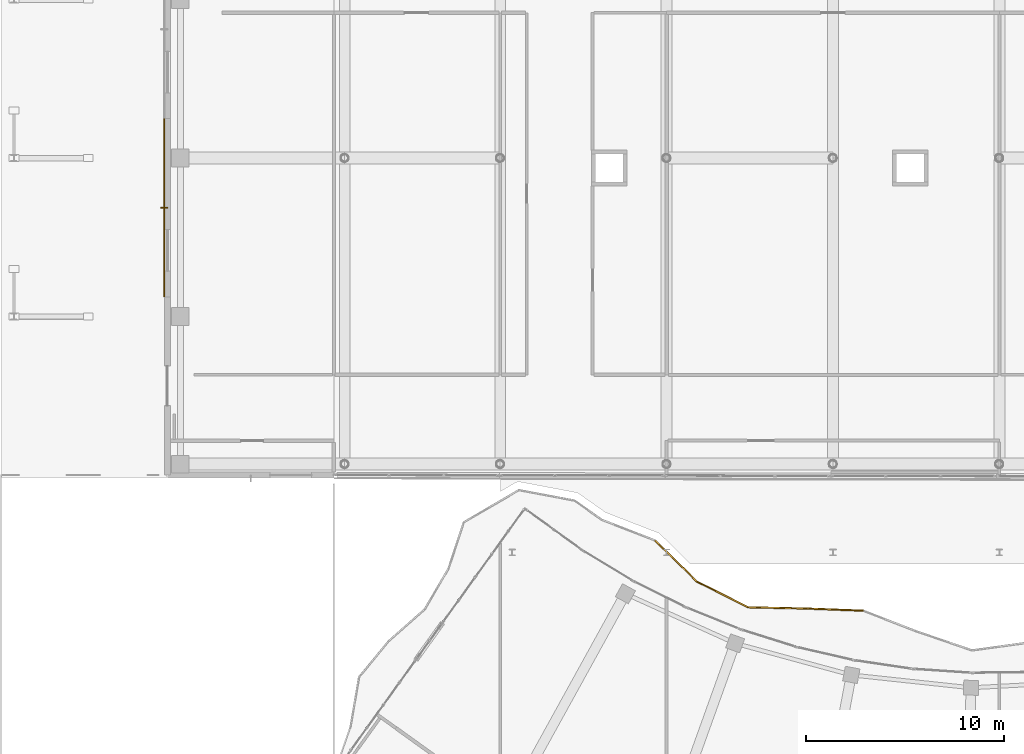
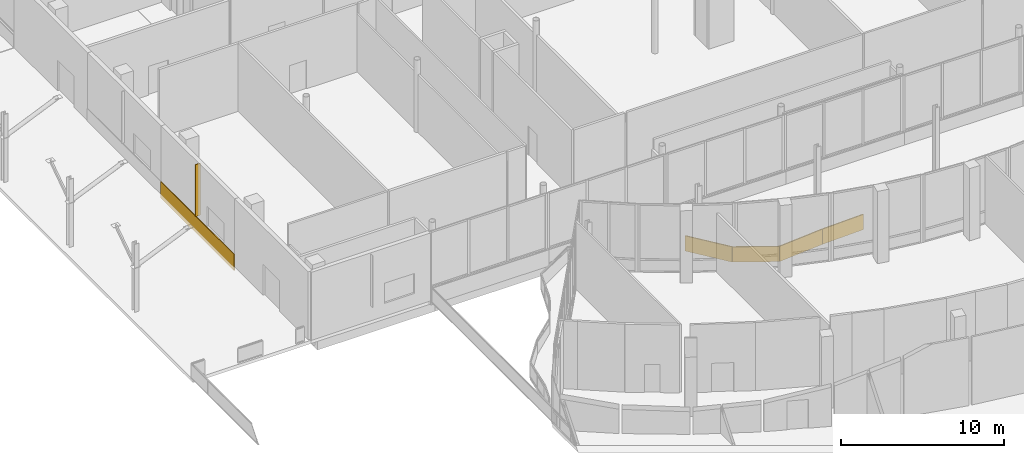
# One storey, part 149 of 158: 5 coverings, 1 shading device.
"""IFC4 building model written with IfcOpenShell, lengths in metres."""

from ifc_helpers import new_model, si_unit, direction, frame, origin, origin_2d, place, context, subcontext, project, spatial, polyline, rectangle, outline, extrude, material, layer, layer_set, type_object, element, save


model = new_model("IFC4")

# Units and contexts
model_context = context("Model", 3, precision=1e-05, world=origin(), true_north=direction((0.0, 1.0)))
body_context = subcontext(model_context, "Body", "Model", "MODEL_VIEW")
ifc_project = project(units=[si_unit("LENGTHUNIT", "METRE"), si_unit("AREAUNIT", "SQUARE_METRE"), si_unit("VOLUMEUNIT", "CUBIC_METRE"), si_unit("PLANEANGLEUNIT", "RADIAN"), si_unit("MASSUNIT", "GRAM", prefix="KILO")], contexts=[model_context])

# Site, building, storey
site_placement = place(None, origin())
site = spatial("IfcSite", under=ifc_project, at=site_placement, CompositionType="ELEMENT")
building_placement = place(site_placement, origin())
building = spatial("IfcBuilding", under=site, at=building_placement, Name="Selatvlak General Hospital", CompositionType="ELEMENT")
storey_placement = place(building_placement, origin())
storey = spatial("IfcBuildingStorey", under=building, at=storey_placement, Name="L00", CompositionType="ELEMENT", Elevation=0.0)

# Coverings
ifc_material_1 = material(Name="PVDF aluminium fascia - oxide red", Category="aluminium")
ifc_layer_1 = layer(ifc_material_1, 0.070068359375, Name="PVDF aluminium fascia - oxide red", Category="aluminium")
ifc_layer_set_1 = layer_set([ifc_layer_1], Name="PVDF aluminium fascia - oxide red")
covering_type_1 = type_object("IfcCoveringType", Name="COV-RB-RED", PredefinedType="CLADDING", material=ifc_layer_set_1)
covering_1_placement = place(storey_placement, frame((49.534912109375, 45.156005859375, 0.05908203125), z_axis=(0.0, 0.0, 1.0), x_axis=(-0.999307651647, 0.037205071701, 0.0)))
element("IfcCovering", 1, at=covering_1_placement, inside=storey, type_object=covering_type_1, Name="L00 De Stijl waving fascia streamer 098", PredefinedType="CLADDING", context=body_context, shape_type="SweptSolid", body=[
    extrude(outline(polyline([(0.0, 0.0), (2.847900390625, -0.177978515625), (2.847900390625, 0.9619140625), (0.0, 1.139892578125), (0.0, 0.0)])), frame((0.0, 0.03515625, 0.0), z_axis=(0.0, -1.0, 0.0), x_axis=(1.0, 0.0, 0.0)), (0.0, 0.0, 1.0), 0.070068359375),
])
covering_2_placement = place(storey_placement, frame((46.68701171875, 45.262939453125, -0.118896484375), z_axis=(0.0, 0.0, 1.0), x_axis=(-0.999775804879, 0.021174040195, 0.0)))
element("IfcCovering", 2, at=covering_2_placement, inside=storey, type_object=covering_type_1, Name="L00 De Stijl waving fascia streamer 099", PredefinedType="CLADDING", context=body_context, shape_type="SweptSolid", body=[
    extrude(outline(polyline([(0.0, 0.0), (2.974853515625, -0.278076171875), (2.974853515625, 0.86181640625), (0.0, 1.139892578125), (0.0, 0.0)])), frame((0.0, 0.03515625, 0.0), z_axis=(0.0, -1.0, 0.0), x_axis=(1.0, 0.0, 0.0)), (0.0, 0.0, 1.0), 0.070068359375),
])
covering_3_placement = place(storey_placement, frame((43.7119140625, 45.325927734375, -0.39697265625), z_axis=(0.0, 0.0, 1.0), x_axis=(-0.893834295747, 0.448397426115, 0.0)))
element("IfcCovering", 3, at=covering_3_placement, inside=storey, type_object=covering_type_1, Name="L00 De Stijl waving fascia streamer 100", PredefinedType="CLADDING", context=body_context, shape_type="SweptSolid", body=[
    extrude(outline(polyline([(0.0, 0.0), (2.88623046875, 0.076904296875), (2.88623046875, 1.216796875), (0.0, 1.139892578125), (0.0, 0.0)])), frame((0.0, 0.03515625, 0.0), z_axis=(0.0, -1.0, 0.0), x_axis=(1.0, 0.0, 0.0)), (0.0, 0.0, 1.0), 0.070068359375),
])
covering_4_placement = place(storey_placement, frame((41.131103515625, 46.62109375, -0.320068359375), z_axis=(0.0, 0.0, 1.0), x_axis=(-0.712498693293, 0.701673436903, 0.0)))
element("IfcCovering", 4, at=covering_4_placement, inside=storey, type_object=covering_type_1, Name="L00 De Stijl waving fascia streamer 101", PredefinedType="CLADDING", context=body_context, shape_type="SweptSolid", body=[
    extrude(outline(polyline([(0.0, 0.0), (2.97705078125, 0.30615234375), (2.97705078125, 1.446044921875), (0.0, 1.139892578125), (0.0, 0.0)])), frame((0.0, 0.03515625, 0.0), z_axis=(0.0, -1.0, 0.0), x_axis=(1.0, 0.0, 0.0)), (0.0, 0.0, 1.0), 0.070068359375),
])
ifc_material_2 = material(Name="White Bauhaus fair-faced cladding panel")
ifc_layer_2 = layer(ifc_material_2, 0.054931640625, Name="White Bauhaus fair-faced cladding panel")
ifc_layer_set_2 = layer_set([ifc_layer_2], Name="White Bauhaus fair-faced cladding panel")
covering_type_2 = type_object("IfcCoveringType", Name="COV-WHT1", PredefinedType="CLADDING", material=ifc_layer_set_2)
covering_5_placement = place(storey_placement, frame((14.235107421875, 65.4990234375, -0.27978515625), z_axis=(0.0, 0.0, 1.0), x_axis=(0.0, 1.0, 0.0)))
element("IfcCovering", 5, at=covering_5_placement, inside=storey, type_object=covering_type_2, Name="L00 Bauhaus horizontal white spandrel band 0001", PredefinedType="CLADDING", context=body_context, shape_type="SweptSolid", body=[
    extrude(rectangle(XDim=8.9990234375, YDim=0.054931640625, at=origin_2d()), origin(), (0.0, 0.0, 1.0), 1.219970703125),
])

# Shading device
ifc_material_3 = material(Name="Anodised aluminium brise-soleil fin", Category="aluminium")
ifc_layer_3 = layer(ifc_material_3, 0.044921875, Name="Anodised aluminium brise-soleil fin", Category="aluminium")
ifc_layer_set_3 = layer_set([ifc_layer_3], Name="Anodised aluminium brise-soleil fin")
shading_device_type = type_object("IfcShadingDeviceType", Name="SHD-FIN1", PredefinedType="USERDEFINED", material=ifc_layer_set_3)
shading_device_placement = place(storey_placement, frame((14.22802734375, 65.4990234375, 1.10009765625), z_axis=(0.0, 0.0, 1.0), x_axis=(-1.0, 0.0, 0.0)))
element("IfcShadingDevice", 6, at=shading_device_placement, inside=storey, type_object=shading_device_type, Name="L00 monsoon vertical brise-soleil fin 143", ObjectType="SUNSHADE", PredefinedType="USERDEFINED", context=body_context, shape_type="SweptSolid", body=[
    extrude(rectangle(XDim=0.35009765625, YDim=0.044921875, at=origin_2d()), origin(), (0.0, 0.0, 1.0), 3.8798828125),
])

save(model, "model.ifc")
